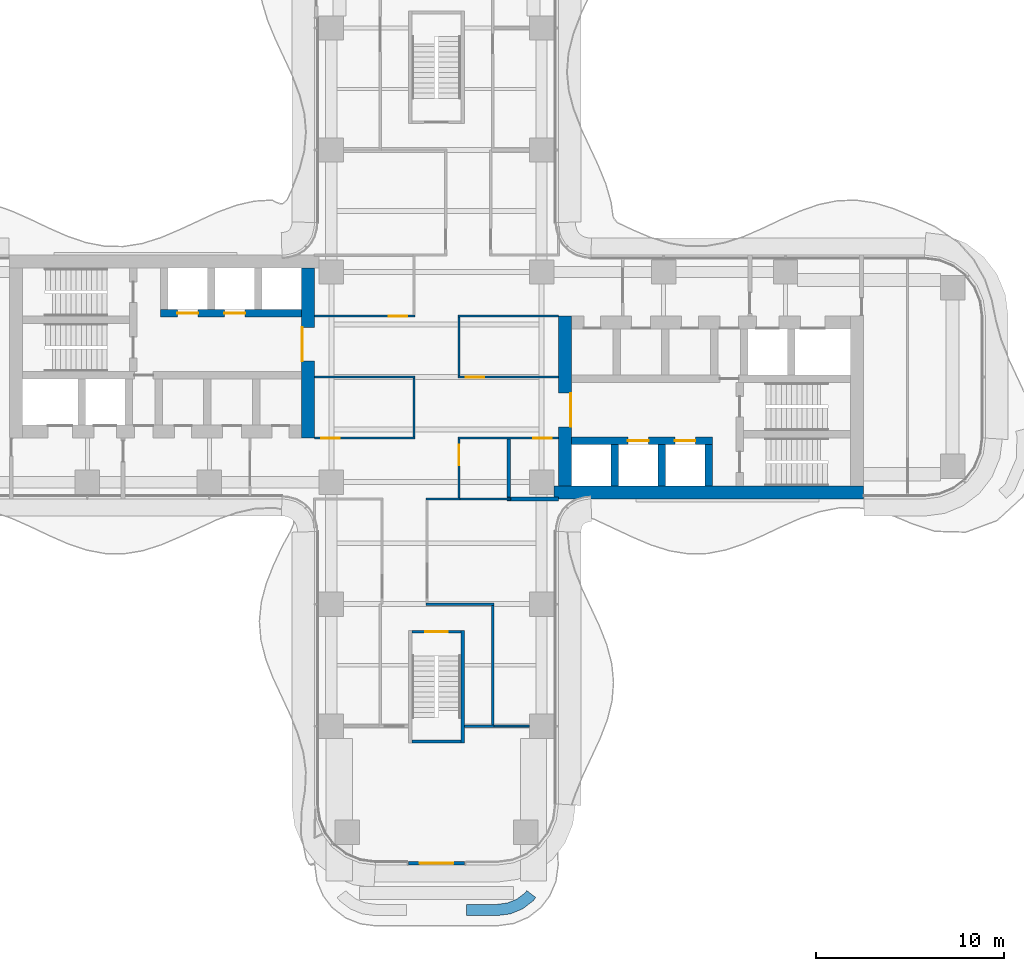
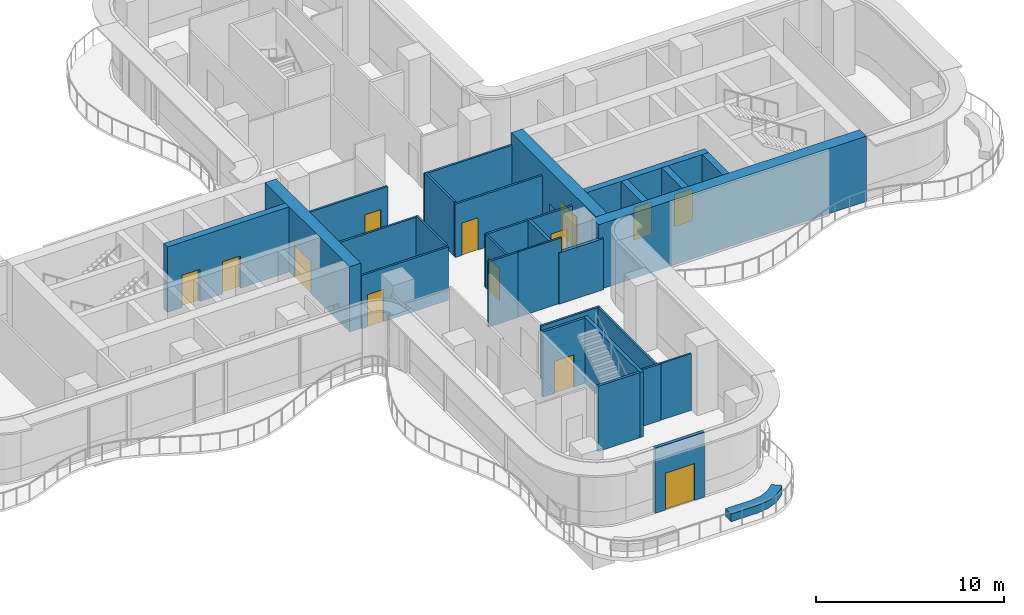
# One storey, part 18 of 22: 30 walls, 13 doors, 13 openings.
"""IFC4 building model written with IfcOpenShell, lengths in metres."""

from ifc_helpers import new_model, si_unit, direction, frame, frame_2d, origin, place, context, subcontext, project, spatial, polyline, rectangle, outline, extrude, source, transform, mapped, material, layer, layer_set, type_object, element, fill, save


model = new_model("IFC4")

# Units and contexts
model_context = context("Model", 3, precision=1e-05, world=origin(), true_north=direction((0.0, 1.0)))
body_context = subcontext(model_context, "Body", "Model", "MODEL_VIEW")
ifc_project = project(units=[si_unit("LENGTHUNIT", "METRE"), si_unit("AREAUNIT", "SQUARE_METRE"), si_unit("VOLUMEUNIT", "CUBIC_METRE"), si_unit("PLANEANGLEUNIT", "RADIAN"), si_unit("MASSUNIT", "GRAM", prefix="KILO")], contexts=[model_context])

# Site, building, storey
site_placement = place(None, origin())
site = spatial("IfcSite", under=ifc_project, at=site_placement, CompositionType="ELEMENT")
building_placement = place(site_placement, origin())
building = spatial("IfcBuilding", under=site, at=building_placement, Name="Trellis Farm Tower", CompositionType="ELEMENT")
storey_placement = place(building_placement, frame((0.0, 0.0, 124.5)))
storey = spatial("IfcBuildingStorey", under=building, at=storey_placement, Name="L26", CompositionType="ELEMENT", Elevation=124.5)

# Wall
ifc_material_1 = material(Name="Sandstone faced masonry planter", Category="masonry")
ifc_layer_1 = layer(ifc_material_1, 0.60009765625)
ifc_layer_set_1 = layer_set([ifc_layer_1], Name="PLANTER BED 600")
wall_type_1 = type_object("IfcWallType", Name="PLANTER BED 600", PredefinedType="USERDEFINED", material=ifc_layer_set_1)
wall_1_placement = place(storey_placement, origin())
element("IfcWall", 1, at=wall_1_placement, inside=storey, type_object=wall_type_1, Name="PLANTER bed", ObjectType="PLANTER", PredefinedType="USERDEFINED", context=body_context, shape_type="SweptSolid", body=[
    extrude(outline(polyline([(4.59765625, -28.334228515625), (3.947509765625, -28.603515625), (3.214111328125, -28.699951171875), (1.60009765625, -28.699951171875), (1.60009765625, -28.10009765625), (3.174560546875, -28.10009765625), (3.791015625, -28.018798828125), (4.294921875, -27.81005859375), (4.727783203125, -27.477783203125), (4.814697265625, -27.364990234375), (5.29052734375, -27.730224609375), (5.15576171875, -27.90576171875), (4.59765625, -28.334228515625)])), origin(), (0.0, 0.0, 1.0), 0.5),
])

# Wall, opening, door
ifc_material_2 = material(Name="Concrete C70/85", Category="concrete")
ifc_layer_2 = layer(ifc_material_2, 0.699951171875)
ifc_layer_set_2 = layer_set([ifc_layer_2], Name="CORE OUTER WALL 700 CONCRETE C70/85")
wall_type_2 = type_object("IfcWallType", Name="CORE OUTER WALL 700 CONCRETE C70/85", PredefinedType="SHEAR", material=ifc_layer_set_2)
shared_shape_1 = source(origin(), body_context, "Body", "SweptSolid", [
    extrude(rectangle(XDim=9.050048828125, YDim=0.699951171875, at=frame_2d((4.52490234375, 0.0))), origin(), (0.0, 0.0, 1.0), 4.25),
])
wall_2_placement = place(storey_placement, frame((6.85009765625, -5.800048828125, 0.0), z_axis=(0.0, 0.0, 1.0), x_axis=(0.0, 1.0, 0.0)))
wall_2 = element("IfcWall", 2, at=wall_2_placement, inside=storey, type_object=wall_type_2, Name="Core wall", PredefinedType="SHEAR", context=body_context, shape_type="MappedRepresentation", body=[
    mapped(shared_shape_1, transform((0.0, 0.0, 0.0))),
])
shared_shape_2 = source(origin(), body_context, "Body", "SweptSolid", [
    extrude(rectangle(XDim=1.800048828125, YDim=2.10009765625, at=frame_2d((0.89990234375, 1.050048828125))), frame((0.0, 0.360107421875, 0.0), z_axis=(0.0, -1.0, 0.0), x_axis=(1.0, 0.0, 0.0)), (0.0, 0.0, 1.0), 0.72021484375),
])
opening_1_placement = place(wall_2_placement, frame((3.14990234375, 0.0, 0.0)))
opening_1 = element("IfcOpeningElement", 3, at=opening_1_placement, cuts=wall_2, Name="Opening DC1", PredefinedType="OPENING", context=body_context, shape_type="MappedRepresentation", body=[
    mapped(shared_shape_2, transform((0.0, 0.0, 0.0))),
])
ifc_material_3 = material(Name="Steel", Category="steel")
door_type_1 = type_object("IfcDoorType", Name="CORE FIRE DOOR DOUBLE 1800 X 2100", OperationType="DOUBLE_DOOR_SINGLE_SWING", PredefinedType="DOOR", material=ifc_material_3)
shared_shape_3 = source(origin(), body_context, "Body", "SweptSolid", [
    extrude(rectangle(XDim=1.800048828125, YDim=2.10009765625, at=frame_2d((0.89990234375, 1.050048828125))), frame((0.0, -0.27490234375, 0.0), z_axis=(0.0, -1.0, 0.0), x_axis=(1.0, 0.0, 0.0)), (0.0, 0.0, 1.0), 0.050048828125),
])
door_1_placement = place(opening_1_placement, origin())
door_1 = element("IfcDoor", 4, at=door_1_placement, inside=storey, type_object=door_type_1, Name="Core door", OperationType="DOUBLE_DOOR_SINGLE_SWING", OverallHeight=2.10009765625, OverallWidth=1.800048828125, PredefinedType="DOOR", context=body_context, shape_type="MappedRepresentation", body=[
    mapped(shared_shape_3, transform((0.0, 0.0, 0.0))),
])
fill(opening_1, door_1)

wall_3_placement = place(storey_placement, frame((-6.85009765625, 5.800048828125, 0.0), z_axis=(0.0, 0.0, 1.0), x_axis=(0.0, -1.0, 0.0)))
wall_3 = element("IfcWall", 5, at=wall_3_placement, inside=storey, type_object=wall_type_2, Name="Core wall", PredefinedType="SHEAR", context=body_context, shape_type="MappedRepresentation", body=[
    mapped(shared_shape_1, transform((0.0, 0.0, 0.0))),
])
opening_2_placement = place(wall_3_placement, frame((3.14990234375, 0.0, 0.0)))
opening_2 = element("IfcOpeningElement", 6, at=opening_2_placement, cuts=wall_3, Name="Opening DC87", PredefinedType="OPENING", context=body_context, shape_type="MappedRepresentation", body=[
    mapped(shared_shape_2, transform((0.0, 0.0, 0.0))),
])
door_2_placement = place(opening_2_placement, origin())
door_2 = element("IfcDoor", 7, at=door_2_placement, inside=storey, type_object=door_type_1, Name="Core door", OperationType="DOUBLE_DOOR_SINGLE_SWING", OverallHeight=2.10009765625, OverallWidth=1.800048828125, PredefinedType="DOOR", context=body_context, shape_type="MappedRepresentation", body=[
    mapped(shared_shape_3, transform((0.0, 0.0, 0.0))),
])
fill(opening_2, door_2)

# Walls
ifc_layer_3 = layer(ifc_material_2, 0.39990234375)
ifc_layer_set_3 = layer_set([ifc_layer_3], Name="CORE INNER WALL 400 CONCRETE C70/85")
wall_type_3 = type_object("IfcWallType", Name="CORE INNER WALL 400 CONCRETE C70/85", PredefinedType="SHEAR", material=ifc_layer_set_3)
shared_shape_4 = source(origin(), body_context, "Body", "SweptSolid", [
    extrude(rectangle(XDim=2.199951171875, YDim=0.39990234375, at=frame_2d((1.10009765625, 0.0))), origin(), (0.0, 0.0, 1.0), 4.25),
])
for number, where, z_axis, x_axis, name in (
    (8, (9.5, -5.800048828125, 0.0), (0.0, 0.0, 1.0), (0.0, 1.0, 0.0), "Core wall"),
    (9, (12.0, -5.800048828125, 0.0), (0.0, 0.0, 1.0), (0.0, 1.0, 0.0), "Core wall"),
    (10, (14.5, -5.800048828125, 0.0), (0.0, 0.0, 1.0), (0.0, 1.0, 0.0), "Core wall"),
):
    element("IfcWall", number, at=place(storey_placement, frame(where, z_axis=z_axis, x_axis=x_axis)), inside=storey, type_object=wall_type_3, Name=name, PredefinedType="SHEAR", context=body_context, shape_type="MappedRepresentation", body=[
        mapped(shared_shape_4, transform((0.0, 0.0, 0.0))),
    ])

# Wall, openings, doors
shared_shape_5 = source(origin(), body_context, "Body", "SweptSolid", [
    extrude(rectangle(XDim=7.5, YDim=0.39990234375, at=frame_2d((3.75, 0.0))), origin(), (0.0, 0.0, 1.0), 4.25),
])
wall_4_placement = place(storey_placement, frame((7.199951171875, -3.39990234375, 0.0), z_axis=(0.0, 0.0, 1.0), x_axis=(1.0, 0.0, 0.0)))
wall_4 = element("IfcWall", 11, at=wall_4_placement, inside=storey, type_object=wall_type_3, Name="Core wall", PredefinedType="SHEAR", context=body_context, shape_type="MappedRepresentation", body=[
    mapped(shared_shape_5, transform((0.0, 0.0, 0.0))),
])
shared_shape_6 = source(origin(), body_context, "Body", "SweptSolid", [
    extrude(rectangle(XDim=1.10009765625, YDim=2.10009765625, at=frame_2d((0.550048828125, 1.050048828125))), frame((0.0, 0.2099609375, 0.0), z_axis=(0.0, -1.0, 0.0), x_axis=(1.0, 0.0, 0.0)), (0.0, 0.0, 1.0), 0.419921875),
])
opening_3_placement = place(wall_4_placement, frame((3.0, 0.0, 0.0)))
opening_3 = element("IfcOpeningElement", 12, at=opening_3_placement, cuts=wall_4, Name="Opening LD2", PredefinedType="OPENING", context=body_context, shape_type="MappedRepresentation", body=[
    mapped(shared_shape_6, transform((0.0, 0.0, 0.0))),
])
opening_4_placement = place(wall_4_placement, frame((5.5, 0.0, 0.0)))
opening_4 = element("IfcOpeningElement", 13, at=opening_4_placement, cuts=wall_4, Name="Opening LD3", PredefinedType="OPENING", context=body_context, shape_type="MappedRepresentation", body=[
    mapped(shared_shape_6, transform((0.0, 0.0, 0.0))),
])
ifc_material_4 = material(Name="Stainless steel", Category="steel")
door_type_2 = type_object("IfcDoorType", Name="LIFT LANDING DOOR 1100 X 2100", OperationType="DOUBLE_DOOR_SLIDING", PredefinedType="DOOR", material=ifc_material_4)
shared_shape_7 = source(origin(), body_context, "Body", "SweptSolid", [
    extrude(rectangle(XDim=1.10009765625, YDim=2.10009765625, at=frame_2d((0.550048828125, 1.050048828125))), frame((0.0, 0.02490234375, 0.0), z_axis=(0.0, -1.0, 0.0), x_axis=(1.0, 0.0, 0.0)), (0.0, 0.0, 1.0), 0.050048828125),
])
door_3_placement = place(opening_3_placement, origin())
door_3 = element("IfcDoor", 14, at=door_3_placement, inside=storey, type_object=door_type_2, Name="Lift landing door", OperationType="DOUBLE_DOOR_SLIDING", OverallHeight=2.10009765625, OverallWidth=1.10009765625, PredefinedType="DOOR", context=body_context, shape_type="MappedRepresentation", body=[
    mapped(shared_shape_7, transform((0.0, 0.0, 0.0))),
])
fill(opening_3, door_3)
door_4_placement = place(opening_4_placement, origin())
door_4 = element("IfcDoor", 15, at=door_4_placement, inside=storey, type_object=door_type_2, Name="Lift landing door", OperationType="DOUBLE_DOOR_SLIDING", OverallHeight=2.10009765625, OverallWidth=1.10009765625, PredefinedType="DOOR", context=body_context, shape_type="MappedRepresentation", body=[
    mapped(shared_shape_7, transform((0.0, 0.0, 0.0))),
])
fill(opening_4, door_4)

wall_5_placement = place(storey_placement, frame((-7.199951171875, 3.39990234375, 0.0), z_axis=(0.0, 0.0, 1.0), x_axis=(-1.0, 0.0, 0.0)))
wall_5 = element("IfcWall", 16, at=wall_5_placement, inside=storey, type_object=wall_type_3, Name="Core wall", PredefinedType="SHEAR", context=body_context, shape_type="MappedRepresentation", body=[
    mapped(shared_shape_5, transform((0.0, 0.0, 0.0))),
])
opening_5_placement = place(wall_5_placement, frame((3.0, 0.0, 0.0)))
opening_5 = element("IfcOpeningElement", 17, at=opening_5_placement, cuts=wall_5, Name="Opening LD10", PredefinedType="OPENING", context=body_context, shape_type="MappedRepresentation", body=[
    mapped(shared_shape_6, transform((0.0, 0.0, 0.0))),
])
opening_6_placement = place(wall_5_placement, frame((5.5, 0.0, 0.0)))
opening_6 = element("IfcOpeningElement", 18, at=opening_6_placement, cuts=wall_5, Name="Opening LD11", PredefinedType="OPENING", context=body_context, shape_type="MappedRepresentation", body=[
    mapped(shared_shape_6, transform((0.0, 0.0, 0.0))),
])
door_5_placement = place(opening_5_placement, origin())
door_5 = element("IfcDoor", 19, at=door_5_placement, inside=storey, type_object=door_type_2, Name="Lift landing door", OperationType="DOUBLE_DOOR_SLIDING", OverallHeight=2.10009765625, OverallWidth=1.10009765625, PredefinedType="DOOR", context=body_context, shape_type="MappedRepresentation", body=[
    mapped(shared_shape_7, transform((0.0, 0.0, 0.0))),
])
fill(opening_5, door_5)
door_6_placement = place(opening_6_placement, origin())
door_6 = element("IfcDoor", 20, at=door_6_placement, inside=storey, type_object=door_type_2, Name="Lift landing door", OperationType="DOUBLE_DOOR_SLIDING", OverallHeight=2.10009765625, OverallWidth=1.10009765625, PredefinedType="DOOR", context=body_context, shape_type="MappedRepresentation", body=[
    mapped(shared_shape_7, transform((0.0, 0.0, 0.0))),
])
fill(opening_6, door_6)

# Walls
shared_shape_8 = source(origin(), body_context, "Body", "SweptSolid", [
    extrude(rectangle(XDim=16.5, YDim=0.699951171875, at=frame_2d((8.25, 0.0))), origin(), (0.0, 0.0, 1.0), 4.25),
])
wall_6_placement = place(storey_placement, frame((6.25, -6.14990234375, 0.0), z_axis=(0.0, 0.0, 1.0), x_axis=(1.0, 0.0, 0.0)))
element("IfcWall", 21, at=wall_6_placement, inside=storey, type_object=wall_type_2, Name="Core wall", PredefinedType="SHEAR", context=body_context, shape_type="MappedRepresentation", body=[
    mapped(shared_shape_8, transform((0.0, 0.0, 0.0))),
])
ifc_layer_4 = layer(ifc_material_2, 0.199951171875)
ifc_layer_set_4 = layer_set([ifc_layer_4], Name="CORE STAIR ENCLOSURE WALL 200 CONCRETE C70/85")
wall_type_4 = type_object("IfcWallType", Name="CORE STAIR ENCLOSURE WALL 200 CONCRETE C70/85", PredefinedType="SHEAR", material=ifc_layer_set_4)
shared_shape_9 = source(origin(), body_context, "Body", "SweptSolid", [
    extrude(rectangle(XDim=6.0, YDim=0.199951171875, at=frame_2d((3.0, 0.0))), origin(), (0.0, 0.0, 1.0), 4.25),
])
wall_7_placement = place(storey_placement, frame((1.39990234375, -13.5, 0.0), z_axis=(0.0, 0.0, 1.0), x_axis=(0.0, -1.0, 0.0)))
element("IfcWall", 22, at=wall_7_placement, inside=storey, type_object=wall_type_4, Name="Stair enclosure wall", PredefinedType="SHEAR", context=body_context, shape_type="MappedRepresentation", body=[
    mapped(shared_shape_9, transform((0.0, 0.0, 0.0))),
])

# Wall, opening, door
ifc_layer_5 = layer(ifc_material_2, 0.14990234375)
ifc_layer_set_5 = layer_set([ifc_layer_5], Name="CORE STAIR ENCLOSURE WALL 150 CONCRETE C70/85")
wall_type_5 = type_object("IfcWallType", Name="CORE STAIR ENCLOSURE WALL 150 CONCRETE C70/85", PredefinedType="SHEAR", material=ifc_layer_set_5)
shared_shape_10 = source(origin(), body_context, "Body", "SweptSolid", [
    extrude(rectangle(XDim=2.60009765625, YDim=0.14990234375, at=frame_2d((1.300048828125, 0.0))), origin(), (0.0, 0.0, 1.0), 4.25),
])
wall_8_placement = place(storey_placement, frame((1.300048828125, -13.574951171875, 0.0), z_axis=(0.0, 0.0, 1.0), x_axis=(-1.0, 0.0, 0.0)))
wall_8 = element("IfcWall", 23, at=wall_8_placement, inside=storey, type_object=wall_type_5, Name="Stair enclosure wall", PredefinedType="SHEAR", context=body_context, shape_type="MappedRepresentation", body=[
    mapped(shared_shape_10, transform((0.0, 0.0, 0.0))),
])
shared_shape_11 = source(origin(), body_context, "Body", "SweptSolid", [
    extrude(rectangle(XDim=1.199951171875, YDim=2.10009765625, at=frame_2d((0.60009765625, 1.050048828125))), frame((0.0, 0.0849609375, 0.0), z_axis=(0.0, -1.0, 0.0), x_axis=(1.0, 0.0, 0.0)), (0.0, 0.0, 1.0), 0.169921875),
])
opening_7_placement = place(wall_8_placement, frame((0.699951171875, 0.0, 0.0)))
opening_7 = element("IfcOpeningElement", 24, at=opening_7_placement, cuts=wall_8, Name="Opening DC174", PredefinedType="OPENING", context=body_context, shape_type="MappedRepresentation", body=[
    mapped(shared_shape_11, transform((0.0, 0.0, 0.0))),
])
door_type_3 = type_object("IfcDoorType", Name="CORE FIRE DOOR 1200 X 2100", OperationType="NOTDEFINED", PredefinedType="DOOR", material=ifc_material_3)
shared_shape_12 = source(origin(), body_context, "Body", "SweptSolid", [
    extrude(rectangle(XDim=1.199951171875, YDim=2.10009765625, at=frame_2d((0.60009765625, 1.050048828125))), frame((0.0, 0.02490234375, 0.0), z_axis=(0.0, -1.0, 0.0), x_axis=(1.0, 0.0, 0.0)), (0.0, 0.0, 1.0), 0.050048828125),
])
door_7_placement = place(opening_7_placement, origin())
door_7 = element("IfcDoor", 25, at=door_7_placement, inside=storey, type_object=door_type_3, Name="Core door", OperationType="SINGLE_SWING_RIGHT", OverallHeight=2.10009765625, OverallWidth=1.199951171875, PredefinedType="DOOR", context=body_context, shape_type="MappedRepresentation", body=[
    mapped(shared_shape_12, transform((0.0, 0.0, 0.0))),
])
fill(opening_7, door_7)

# Wall
wall_9_placement = place(storey_placement, frame((1.300048828125, -19.425048828125, 0.0), z_axis=(0.0, 0.0, 1.0), x_axis=(-1.0, 0.0, 0.0)))
element("IfcWall", 26, at=wall_9_placement, inside=storey, type_object=wall_type_5, Name="Stair enclosure wall", PredefinedType="SHEAR", context=body_context, shape_type="MappedRepresentation", body=[
    mapped(shared_shape_10, transform((0.0, 0.0, 0.0))),
])

# Wall, opening, door
ifc_material_5 = material(Name="Sandstone faced insulated wall", Category="masonry")
ifc_layer_6 = layer(ifc_material_5, 0.199951171875)
ifc_layer_set_6 = layer_set([ifc_layer_6], Name="EXTERNAL INFILL WALL 200")
wall_type_6 = type_object("IfcWallType", Name="EXTERNAL INFILL WALL 200", PredefinedType="SOLIDWALL", material=ifc_layer_set_6)
shared_shape_13 = source(origin(), body_context, "Body", "SweptSolid", [
    extrude(rectangle(XDim=3.0, YDim=0.199951171875, at=frame_2d((1.5, 0.0))), origin(), (0.0, 0.0, 1.0), 4.25),
])
wall_10_placement = place(storey_placement, frame((-1.5, -25.89990234375, 0.0), z_axis=(0.0, 0.0, 1.0), x_axis=(1.0, 0.0, 0.0)))
wall_10 = element("IfcWall", 27, at=wall_10_placement, inside=storey, type_object=wall_type_6, Name="EW1 01", PredefinedType="SOLIDWALL", context=body_context, shape_type="MappedRepresentation", body=[
    mapped(shared_shape_13, transform((0.0, 0.0, 0.0))),
])
shared_shape_14 = source(origin(), body_context, "Body", "SweptSolid", [
    extrude(rectangle(XDim=1.800048828125, YDim=2.39990234375, at=frame_2d((0.89990234375, 1.199951171875))), frame((0.0, 0.110107421875, 0.0), z_axis=(0.0, -1.0, 0.0), x_axis=(1.0, 0.0, 0.0)), (0.0, 0.0, 1.0), 0.22021484375),
])
opening_8_placement = place(wall_10_placement, frame((0.60009765625, 0.0, 0.0)))
opening_8 = element("IfcOpeningElement", 28, at=opening_8_placement, cuts=wall_10, Name="Opening ED1", PredefinedType="OPENING", context=body_context, shape_type="MappedRepresentation", body=[
    mapped(shared_shape_14, transform((0.0, 0.0, 0.0))),
])
ifc_material_6 = material(Name="Aluminium framed glazed door", Category="aluminium")
door_type_4 = type_object("IfcDoorType", Name="BALCONY DOOR 1800x2400", OperationType="DOUBLE_DOOR_SINGLE_SWING", PredefinedType="DOOR", material=ifc_material_6)
shared_shape_15 = source(origin(), body_context, "Body", "SweptSolid", [
    extrude(rectangle(XDim=1.800048828125, YDim=2.39990234375, at=frame_2d((0.89990234375, 1.199951171875))), frame((0.0, 0.02490234375, 0.0), z_axis=(0.0, -1.0, 0.0), x_axis=(1.0, 0.0, 0.0)), (0.0, 0.0, 1.0), 0.050048828125),
])
door_8_placement = place(opening_8_placement, origin())
door_8 = element("IfcDoor", 29, at=door_8_placement, inside=storey, type_object=door_type_4, Name="Balcony door", OperationType="DOUBLE_DOOR_SINGLE_SWING", OverallHeight=2.39990234375, OverallWidth=1.800048828125, PredefinedType="DOOR", context=body_context, shape_type="MappedRepresentation", body=[
    mapped(shared_shape_15, transform((0.0, 0.0, 0.0))),
])
fill(opening_8, door_8)

# Walls
ifc_material_7 = material(Name="Plasterboard on steel studs, mineral wool", Category="steel")
ifc_layer_7 = layer(ifc_material_7, 0.125)
ifc_layer_set_7 = layer_set([ifc_layer_7], Name="PARTITION 125 STUD EI 60")
wall_type_7 = type_object("IfcWallType", Name="PARTITION 125 STUD EI 60", PredefinedType="PARTITIONING", material=ifc_layer_set_7)
shared_shape_16 = source(origin(), body_context, "Body", "SweptSolid", [
    extrude(rectangle(XDim=3.125, YDim=0.125, at=frame_2d((1.5625, 0.0))), origin(), (0.0, 0.0, 1.0), 3.54638671875),
])
for number, where, z_axis, x_axis, name in (
    (30, (-1.199951171875, -0.0625, 0.0), (0.0, 0.0, 1.0), (0.0, -1.0, 0.0), "Partition PW1"),
    (31, (1.199951171875, 3.1875, 0.0), (0.0, 0.0, 1.0), (0.0, -1.0, 0.0), "Partition PW1"),
):
    element("IfcWall", number, at=place(storey_placement, frame(where, z_axis=z_axis, x_axis=x_axis)), inside=storey, type_object=wall_type_7, Name=name, PredefinedType="PARTITIONING", context=body_context, shape_type="MappedRepresentation", body=[
        mapped(shared_shape_16, transform((0.0, 0.0, 0.0))),
    ])

# Wall, opening, door
shared_shape_17 = source(origin(), body_context, "Body", "SweptSolid", [
    extrude(rectangle(XDim=5.362548828125, YDim=0.125, at=frame_2d((2.68115234375, 0.0))), origin(), (0.0, 0.0, 1.0), 3.4677734375),
])
wall_11_placement = place(storey_placement, frame((-1.137451171875, -3.25, 0.0), z_axis=(0.0, 0.0, 1.0), x_axis=(-1.0, 0.0, 0.0)))
wall_11 = element("IfcWall", 32, at=wall_11_placement, inside=storey, type_object=wall_type_7, Name="Partition PW1", PredefinedType="PARTITIONING", context=body_context, shape_type="MappedRepresentation", body=[
    mapped(shared_shape_17, transform((0.0, 0.0, 0.0))),
])
shared_shape_18 = source(origin(), body_context, "Body", "SweptSolid", [
    extrude(rectangle(XDim=1.0, YDim=2.10009765625, at=frame_2d((0.5, 1.050048828125))), frame((0.0, 0.072509765625, 0.0), z_axis=(0.0, -1.0, 0.0), x_axis=(1.0, 0.0, 0.0)), (0.0, 0.0, 1.0), 0.14501953125),
])
opening_9_placement = place(wall_11_placement, frame((4.012451171875, 0.0, 0.0)))
opening_9 = element("IfcOpeningElement", 33, at=opening_9_placement, cuts=wall_11, Name="Opening D103", PredefinedType="OPENING", context=body_context, shape_type="MappedRepresentation", body=[
    mapped(shared_shape_18, transform((0.0, 0.0, 0.0))),
])
ifc_material_8 = material(Name="Fire-rated timber door leaf in a hollow metal frame", Category="wood")
door_type_5 = type_object("IfcDoorType", Name="DOOR 1000x2100 FD30S", OperationType="NOTDEFINED", PredefinedType="DOOR", material=ifc_material_8)
shared_shape_19 = source(origin(), body_context, "Body", "SweptSolid", [
    extrude(rectangle(XDim=1.0, YDim=2.10009765625, at=frame_2d((0.5, 1.050048828125))), frame((0.0, 0.02490234375, 0.0), z_axis=(0.0, -1.0, 0.0), x_axis=(1.0, 0.0, 0.0)), (0.0, 0.0, 1.0), 0.050048828125),
])
door_9_placement = place(opening_9_placement, origin())
door_9 = element("IfcDoor", 34, at=door_9_placement, inside=storey, type_object=door_type_5, Name="Door D103", OperationType="SINGLE_SWING_RIGHT", OverallHeight=2.10009765625, OverallWidth=1.0, PredefinedType="DOOR", context=body_context, shape_type="MappedRepresentation", body=[
    mapped(shared_shape_19, transform((0.0, 0.0, 0.0))),
])
fill(opening_9, door_9)

wall_12_placement = place(storey_placement, frame((6.5, -3.25, 0.0), z_axis=(0.0, 0.0, 1.0), x_axis=(-1.0, 0.0, 0.0)))
wall_12 = element("IfcWall", 35, at=wall_12_placement, inside=storey, type_object=wall_type_7, Name="Partition PW1", PredefinedType="PARTITIONING", context=body_context, shape_type="MappedRepresentation", body=[
    mapped(shared_shape_17, transform((0.0, 0.0, 0.0))),
])
opening_10_placement = place(wall_12_placement, frame((0.35009765625, 0.0, 0.0)))
opening_10 = element("IfcOpeningElement", 36, at=opening_10_placement, cuts=wall_12, Name="Opening D301", PredefinedType="OPENING", context=body_context, shape_type="MappedRepresentation", body=[
    mapped(shared_shape_18, transform((0.0, 0.0, 0.0))),
])
door_type_6 = type_object("IfcDoorType", Name="DOOR 1000x2100 FD60", OperationType="NOTDEFINED", PredefinedType="DOOR", material=ifc_material_8)
door_10_placement = place(opening_10_placement, origin())
door_10 = element("IfcDoor", 37, at=door_10_placement, inside=storey, type_object=door_type_6, Name="Door D301", OperationType="SINGLE_SWING_LEFT", OverallHeight=2.10009765625, OverallWidth=1.0, PredefinedType="DOOR", context=body_context, shape_type="MappedRepresentation", body=[
    mapped(shared_shape_19, transform((0.0, 0.0, 0.0))),
])
fill(opening_10, door_10)

# Wall
wall_13_placement = place(storey_placement, frame((-1.137451171875, 0.0, 0.0), z_axis=(0.0, 0.0, 1.0), x_axis=(-1.0, 0.0, 0.0)))
element("IfcWall", 38, at=wall_13_placement, inside=storey, type_object=wall_type_7, Name="Partition PW1", PredefinedType="PARTITIONING", context=body_context, shape_type="MappedRepresentation", body=[
    mapped(shared_shape_17, transform((0.0, 0.0, 0.0))),
])

# Wall, opening, door
wall_14_placement = place(storey_placement, frame((6.5, 0.0, 0.0), z_axis=(0.0, 0.0, 1.0), x_axis=(-1.0, 0.0, 0.0)))
wall_14 = element("IfcWall", 39, at=wall_14_placement, inside=storey, type_object=wall_type_7, Name="Partition PW1", PredefinedType="PARTITIONING", context=body_context, shape_type="MappedRepresentation", body=[
    mapped(shared_shape_17, transform((0.0, 0.0, 0.0))),
])
opening_11_placement = place(wall_14_placement, frame((3.949951171875, 0.0, 0.0)))
opening_11 = element("IfcOpeningElement", 40, at=opening_11_placement, cuts=wall_14, Name="Opening D104", PredefinedType="OPENING", context=body_context, shape_type="MappedRepresentation", body=[
    mapped(shared_shape_18, transform((0.0, 0.0, 0.0))),
])
door_11_placement = place(opening_11_placement, origin())
door_11 = element("IfcDoor", 41, at=door_11_placement, inside=storey, type_object=door_type_5, Name="Door D104", OperationType="SINGLE_SWING_RIGHT", OverallHeight=2.10009765625, OverallWidth=1.0, PredefinedType="DOOR", context=body_context, shape_type="MappedRepresentation", body=[
    mapped(shared_shape_19, transform((0.0, 0.0, 0.0))),
])
fill(opening_11, door_11)

wall_15_placement = place(storey_placement, frame((-6.5, 3.25, 0.0), z_axis=(0.0, 0.0, 1.0), x_axis=(1.0, 0.0, 0.0)))
wall_15 = element("IfcWall", 42, at=wall_15_placement, inside=storey, type_object=wall_type_7, Name="Partition PW1", PredefinedType="PARTITIONING", context=body_context, shape_type="MappedRepresentation", body=[
    mapped(shared_shape_17, transform((0.0, 0.0, 0.0))),
])
opening_12_placement = place(wall_15_placement, frame((3.949951171875, 0.0, 0.0)))
opening_12 = element("IfcOpeningElement", 43, at=opening_12_placement, cuts=wall_15, Name="Opening D105", PredefinedType="OPENING", context=body_context, shape_type="MappedRepresentation", body=[
    mapped(shared_shape_18, transform((0.0, 0.0, 0.0))),
])
door_12_placement = place(opening_12_placement, origin())
door_12 = element("IfcDoor", 44, at=door_12_placement, inside=storey, type_object=door_type_5, Name="Door D105", OperationType="SINGLE_SWING_RIGHT", OverallHeight=2.10009765625, OverallWidth=1.0, PredefinedType="DOOR", context=body_context, shape_type="MappedRepresentation", body=[
    mapped(shared_shape_19, transform((0.0, 0.0, 0.0))),
])
fill(opening_12, door_12)

# Wall
wall_16_placement = place(storey_placement, frame((1.137451171875, 3.25, 0.0), z_axis=(0.0, 0.0, 1.0), x_axis=(1.0, 0.0, 0.0)))
element("IfcWall", 45, at=wall_16_placement, inside=storey, type_object=wall_type_7, Name="Partition PW1", PredefinedType="PARTITIONING", context=body_context, shape_type="MappedRepresentation", body=[
    mapped(shared_shape_17, transform((0.0, 0.0, 0.0))),
])

# Wall, opening, door
shared_shape_20 = source(origin(), body_context, "Body", "SweptSolid", [
    extrude(rectangle(XDim=3.137451171875, YDim=0.125, at=frame_2d((1.56884765625, 0.0))), origin(), (0.0, 0.0, 1.0), 3.4677734375),
])
wall_17_placement = place(storey_placement, frame((1.199951171875, -3.3125, 0.0), z_axis=(0.0, 0.0, 1.0), x_axis=(0.0, -1.0, 0.0)))
wall_17 = element("IfcWall", 46, at=wall_17_placement, inside=storey, type_object=wall_type_7, Name="Partition PW1", PredefinedType="PARTITIONING", context=body_context, shape_type="MappedRepresentation", body=[
    mapped(shared_shape_20, transform((0.0, 0.0, 0.0))),
])
shared_shape_21 = source(origin(), body_context, "Body", "SweptSolid", [
    extrude(rectangle(XDim=1.10009765625, YDim=2.10009765625, at=frame_2d((0.550048828125, 1.050048828125))), frame((0.0, 0.072509765625, 0.0), z_axis=(0.0, -1.0, 0.0), x_axis=(1.0, 0.0, 0.0)), (0.0, 0.0, 1.0), 0.14501953125),
])
opening_13_placement = place(wall_17_placement, frame((0.28759765625, 0.0, 0.0)))
opening_13 = element("IfcOpeningElement", 47, at=opening_13_placement, cuts=wall_17, Name="Opening D501", PredefinedType="OPENING", context=body_context, shape_type="MappedRepresentation", body=[
    mapped(shared_shape_21, transform((0.0, 0.0, 0.0))),
])
door_type_7 = type_object("IfcDoorType", Name="DOOR 1100x2100 FD30S", OperationType="NOTDEFINED", PredefinedType="DOOR", material=ifc_material_8)
door_13_placement = place(opening_13_placement, origin())
door_13 = element("IfcDoor", 48, at=door_13_placement, inside=storey, type_object=door_type_7, Name="Door D501", OperationType="SINGLE_SWING_LEFT", OverallHeight=2.10009765625, OverallWidth=1.10009765625, PredefinedType="DOOR", context=body_context, shape_type="MappedRepresentation", body=[
    mapped(shared_shape_7, transform((0.0, 0.0, 0.0))),
])
fill(opening_13, door_13)

# Walls
shared_shape_22 = source(origin(), body_context, "Body", "SweptSolid", [
    extrude(rectangle(XDim=1.5625, YDim=0.125, at=frame_2d((0.78125, 0.0))), origin(), (0.0, 0.0, 1.0), 3.697021484375),
])
wall_18_placement = place(storey_placement, frame((3.0625, -18.60009765625, 0.0), z_axis=(0.0, 0.0, 1.0), x_axis=(-1.0, 0.0, 0.0)))
element("IfcWall", 49, at=wall_18_placement, inside=storey, type_object=wall_type_7, Name="Partition PW1", PredefinedType="PARTITIONING", context=body_context, shape_type="MappedRepresentation", body=[
    mapped(shared_shape_22, transform((0.0, 0.0, 0.0))),
])
shared_shape_23 = source(origin(), body_context, "Body", "SweptSolid", [
    extrude(rectangle(XDim=6.387451171875, YDim=0.125, at=frame_2d((3.19384765625, 0.0))), origin(), (0.0, 0.0, 1.0), 3.4677734375),
])
wall_19_placement = place(storey_placement, frame((3.0, -12.16259765625, 0.0), z_axis=(0.0, 0.0, 1.0), x_axis=(0.0, -1.0, 0.0)))
element("IfcWall", 50, at=wall_19_placement, inside=storey, type_object=wall_type_7, Name="Partition PW1", PredefinedType="PARTITIONING", context=body_context, shape_type="MappedRepresentation", body=[
    mapped(shared_shape_23, transform((0.0, 0.0, 0.0))),
])
shared_shape_24 = source(origin(), body_context, "Body", "SweptSolid", [
    extrude(rectangle(XDim=1.824951171875, YDim=0.125, at=frame_2d((0.91259765625, 0.0))), origin(), (0.0, 0.0, 1.0), 4.25),
])
wall_20_placement = place(storey_placement, frame((1.262451171875, -6.5, 0.0), z_axis=(0.0, 0.0, 1.0), x_axis=(-1.0, 0.0, 0.0)))
element("IfcWall", 51, at=wall_20_placement, inside=storey, type_object=wall_type_7, Name="Partition PW1", PredefinedType="PARTITIONING", context=body_context, shape_type="MappedRepresentation", body=[
    mapped(shared_shape_24, transform((0.0, 0.0, 0.0))),
])
shared_shape_25 = source(origin(), body_context, "Body", "SweptSolid", [
    extrude(rectangle(XDim=3.625, YDim=0.125, at=frame_2d((1.8125, 0.0))), origin(), (0.0, 0.0, 1.0), 3.4677734375),
])
wall_21_placement = place(storey_placement, frame((-0.5625, -12.10009765625, 0.0), z_axis=(0.0, 0.0, 1.0), x_axis=(1.0, 0.0, 0.0)))
element("IfcWall", 52, at=wall_21_placement, inside=storey, type_object=wall_type_7, Name="Partition PW1", PredefinedType="PARTITIONING", context=body_context, shape_type="MappedRepresentation", body=[
    mapped(shared_shape_25, transform((0.0, 0.0, 0.0))),
])
ifc_material_9 = material(Name="Plasterboard on steel studs", Category="steel")
ifc_layer_8 = layer(ifc_material_9, 0.10009765625)
ifc_layer_set_8 = layer_set([ifc_layer_8], Name="PARTITION 100 STUD EI 30")
wall_type_8 = type_object("IfcWallType", Name="PARTITION 100 STUD EI 30", PredefinedType="PARTITIONING", material=ifc_layer_set_8)
shared_shape_26 = source(origin(), body_context, "Body", "SweptSolid", [
    extrude(rectangle(XDim=2.012451171875, YDim=0.10009765625, at=frame_2d((1.00634765625, 0.0))), origin(), (0.0, 0.0, 1.0), 3.697021484375),
])
wall_22_placement = place(storey_placement, frame((2.9375, -18.60009765625, 0.0), z_axis=(0.0, 0.0, 1.0), x_axis=(1.0, 0.0, 0.0)))
element("IfcWall", 53, at=wall_22_placement, inside=storey, type_object=wall_type_8, Name="Partition PW2", PredefinedType="PARTITIONING", context=body_context, shape_type="MappedRepresentation", body=[
    mapped(shared_shape_26, transform((0.0, 0.0, 0.0))),
])
ifc_material_10 = material(Name="Lightweight blockwork, plastered", Category="masonry")
ifc_layer_9 = layer(ifc_material_10, 0.199951171875)
ifc_layer_set_9 = layer_set([ifc_layer_9], Name="BLOCK WALL 200 EI 120")
wall_type_9 = type_object("IfcWallType", Name="BLOCK WALL 200 EI 120", PredefinedType="PARTITIONING", material=ifc_layer_set_9)
shared_shape_27 = source(origin(), body_context, "Body", "SweptSolid", [
    extrude(rectangle(XDim=3.08740234375, YDim=0.199951171875, at=frame_2d((1.543701171875, 0.0))), origin(), (0.0, 0.0, 1.0), 3.4677734375),
])
wall_23_placement = place(storey_placement, frame((3.85009765625, -6.39990234375, 0.0), z_axis=(0.0, 0.0, 1.0), x_axis=(0.0, 1.0, 0.0)))
element("IfcWall", 54, at=wall_23_placement, inside=storey, type_object=wall_type_9, Name="Partition PW3", PredefinedType="PARTITIONING", context=body_context, shape_type="MappedRepresentation", body=[
    mapped(shared_shape_27, transform((0.0, 0.0, 0.0))),
])
shared_shape_28 = source(origin(), body_context, "Body", "SweptSolid", [
    extrude(rectangle(XDim=2.75, YDim=0.199951171875, at=frame_2d((1.375, 0.0))), origin(), (0.0, 0.0, 1.0), 3.330078125),
])
wall_24_placement = place(storey_placement, frame((3.75, -6.5, 0.0), z_axis=(0.0, 0.0, 1.0), x_axis=(1.0, 0.0, 0.0)))
element("IfcWall", 55, at=wall_24_placement, inside=storey, type_object=wall_type_9, Name="Partition PW3", PredefinedType="PARTITIONING", context=body_context, shape_type="MappedRepresentation", body=[
    mapped(shared_shape_28, transform((0.0, 0.0, 0.0))),
])
shared_shape_29 = source(origin(), body_context, "Body", "SweptSolid", [
    extrude(rectangle(XDim=2.8125, YDim=0.10009765625, at=frame_2d((1.40625, 0.0))), origin(), (0.0, 0.0, 1.0), 4.25),
])
wall_25_placement = place(storey_placement, frame((1.137451171875, -6.5, 0.0), z_axis=(0.0, 0.0, 1.0), x_axis=(1.0, 0.0, 0.0)))
element("IfcWall", 56, at=wall_25_placement, inside=storey, type_object=wall_type_8, Name="Partition PW2", PredefinedType="PARTITIONING", context=body_context, shape_type="MappedRepresentation", body=[
    mapped(shared_shape_29, transform((0.0, 0.0, 0.0))),
])

save(model, "model.ifc")
